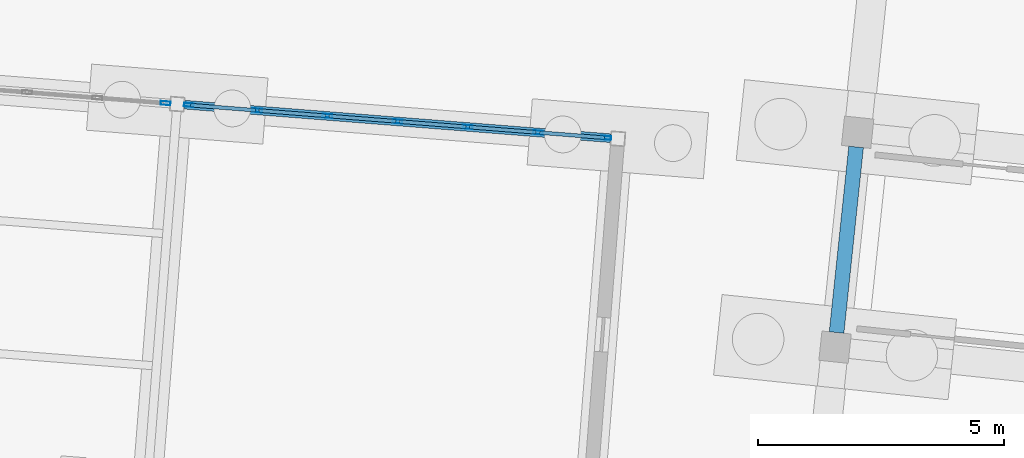
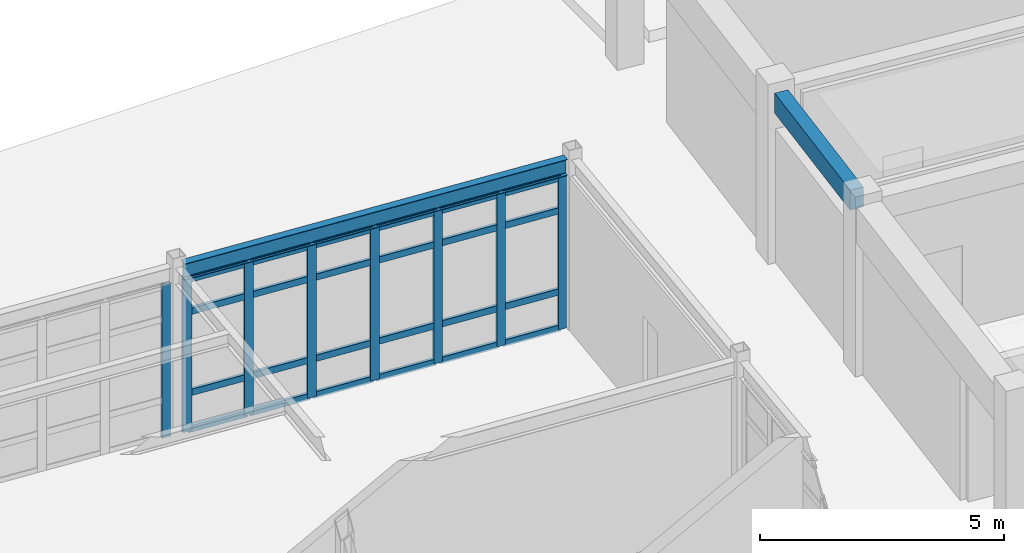
# One storey, part 83 of 154: 32 members, 2 beams, 2 elements without a shape of their own.
"""IFC4 building model written with IfcOpenShell, lengths in metres."""

from ifc_helpers import new_model, si_unit, direction, frame, origin, origin_2d, place, context, subcontext, project, spatial, rectangle, hollow_rectangle, i_section, extrude, material, material_profile, profile_set, type_object, element, aggregate, save


model = new_model("IFC4")

# Units and contexts
model_context = context("Model", 3, precision=1e-05, world=origin(), true_north=direction((0.0, 1.0)))
body_context = subcontext(model_context, "Body", "Model", "MODEL_VIEW")
ifc_project = project(units=[si_unit("LENGTHUNIT", "METRE"), si_unit("AREAUNIT", "SQUARE_METRE"), si_unit("VOLUMEUNIT", "CUBIC_METRE"), si_unit("PLANEANGLEUNIT", "RADIAN"), si_unit("MASSUNIT", "GRAM", prefix="KILO")], contexts=[model_context])

# Site, building, storey
site_placement = place(None, origin())
site = spatial("IfcSite", under=ifc_project, at=site_placement, CompositionType="ELEMENT")
building_placement = place(site_placement, origin())
building = spatial("IfcBuilding", under=site, at=building_placement, Name="Kestramere Prow Commons", CompositionType="ELEMENT")
storey_placement = place(building_placement, origin())
storey = spatial("IfcBuildingStorey", under=building, at=storey_placement, Name="L00", CompositionType="ELEMENT", Elevation=0.0)

# Beams
ifc_material_1 = material(Name="Steel S355JR", Category="steel")
ifc_material_profile_1 = material_profile(ifc_material_1, i_section(OverallWidth=0.177978515625, OverallDepth=0.406494140625, WebThickness=0.0078125, FlangeThickness=0.0126953125, FilletRadius=0.01025390625, at=origin_2d()), Name="UB 406x178x60")
ifc_profile_set_1 = profile_set([ifc_material_profile_1], Name="Steel S355JR")
beam_type_1 = type_object("IfcBeamType", Name="BM-NR-01 UB 406x178x60 (EX)", PredefinedType="BEAM", material=ifc_profile_set_1)
beam_1_placement = place(storey_placement, frame((97.54931640625, 107.2958984375, 4.046875), z_axis=(0.996917066238, -0.078462494502, 0.0), x_axis=(0.078462494502, 0.996917066238, 0.0)))
element("IfcBeam", 1, at=beam_1_placement, inside=storey, type_object=beam_type_1, Name="Nursery L00 Beam U 4-4", PredefinedType="BEAM", context=body_context, shape_type="SweptSolid", body=[
    extrude(i_section(OverallWidth=0.177978515625, OverallDepth=0.406494140625, WebThickness=0.0078125, FlangeThickness=0.0126953125, FilletRadius=0.01025390625, at=origin_2d()), origin(), (0.0, 0.0, 1.0), 8.699951171875),
])
ifc_material_2 = material(Name="Precast concrete C40/50", Category="concrete")
ifc_material_profile_2 = material_profile(ifc_material_2, rectangle(XDim=0.300048828125, YDim=0.5, at=origin_2d()), Name="PC-BM 300x500")
ifc_profile_set_2 = profile_set([ifc_material_profile_2], Name="Precast concrete C40/50")
beam_type_2 = type_object("IfcBeamType", Name="BM-TIE-01 PC-BM 300x500", PredefinedType="BEAM", material=ifc_profile_set_2)
beam_2_placement = place(storey_placement, frame((110.82568359375, 102.65673828125, 4.0), z_axis=(0.10453428057, 0.994521283928, 0.0), x_axis=(-0.994521283928, 0.10453428057, 0.0)))
element("IfcBeam", 2, at=beam_2_placement, inside=storey, type_object=beam_type_2, Name="Block B L00 Transverse Beam 1-2", PredefinedType="BEAM", context=body_context, shape_type="SweptSolid", body=[
    extrude(rectangle(XDim=0.300048828125, YDim=0.5, at=origin_2d()), origin(), (0.0, 0.0, 1.0), 3.7998046875),
])

# Curtain wall, member
ifc_material_3 = material(Name="Anodised Aluminium and Low-E Glass", Category="aluminium")
curtain_wall_type = type_object("IfcCurtainWallType", Name="CW-13 Glazed Curtain Wall 8600x3830", PredefinedType="USERDEFINED", material=ifc_material_3)
curtain_wall_1_placement = place(storey_placement, origin())
curtain_wall_1 = element("IfcCurtainWall", 3, at=curtain_wall_1_placement, inside=storey, type_object=curtain_wall_type, Name="Nursery L00 North Garden Glazing 3", ObjectType="GLAZED CURTAIN WALL", PredefinedType="USERDEFINED")
ifc_material_4 = material(Name="Anodised Aluminium 6063-T6", Category="aluminium")
ifc_material_profile_3 = material_profile(ifc_material_4, hollow_rectangle(XDim=0.074951171875, YDim=0.199951171875, WallThickness=0.0048828125, at=origin_2d()), Name="ALU-MUL 75x200")
ifc_profile_set_3 = profile_set([ifc_material_profile_3], Name="Anodised Aluminium 6063-T6")
member_type_1 = type_object("IfcMemberType", Name="CW-MUL-75x200", PredefinedType="MULLION", material=ifc_profile_set_3)
member_1_placement = place(storey_placement, frame((97.1630859375, 107.326171875, 0.0), z_axis=(0.0, 0.0, 1.0), x_axis=(0.078459070568, 0.996917335713, 0.0)))
member_1 = element("IfcMember", 4, at=member_1_placement, type_object=member_type_1, Name="CW-13 mullion 7", PredefinedType="MULLION", context=body_context, shape_type="SweptSolid", body=[
    extrude(hollow_rectangle(XDim=0.074951171875, YDim=0.199951171875, WallThickness=0.0048828125, at=origin_2d()), origin(), (0.0, 0.0, 1.0), 3.830078125),
])
aggregate(curtain_wall_1, [member_1])

# Curtain wall, members
curtain_wall_2_placement = place(storey_placement, origin())
curtain_wall_2 = element("IfcCurtainWall", 5, at=curtain_wall_2_placement, inside=storey, type_object=curtain_wall_type, Name="Nursery L00 North Garden Glazing 4", ObjectType="GLAZED CURTAIN WALL", PredefinedType="USERDEFINED")
member_2_placement = place(storey_placement, frame((97.636474609375, 107.2890625, 0.0), z_axis=(0.0, 0.0, 1.0), x_axis=(0.078459186136, 0.996917326618, 0.0)))
member_2 = element("IfcMember", 6, at=member_2_placement, type_object=member_type_1, Name="CW-13 mullion 1", PredefinedType="MULLION", context=body_context, shape_type="SweptSolid", body=[
    extrude(hollow_rectangle(XDim=0.074951171875, YDim=0.199951171875, WallThickness=0.0048828125, at=origin_2d()), origin(), (0.0, 0.0, 1.0), 3.830078125),
])
member_3_placement = place(storey_placement, frame((99.028076171875, 107.179443359375, 0.0), z_axis=(0.0, 0.0, 1.0), x_axis=(0.078459186136, 0.996917326618, 0.0)))
member_3 = element("IfcMember", 7, at=member_3_placement, type_object=member_type_1, Name="CW-13 mullion 2", PredefinedType="MULLION", context=body_context, shape_type="SweptSolid", body=[
    extrude(hollow_rectangle(XDim=0.074951171875, YDim=0.199951171875, WallThickness=0.0048828125, at=origin_2d()), origin(), (0.0, 0.0, 1.0), 3.830078125),
])
member_4_placement = place(storey_placement, frame((100.45703125, 107.06689453125, 0.0), z_axis=(0.0, 0.0, 1.0), x_axis=(0.078459186136, 0.996917326618, 0.0)))
member_4 = element("IfcMember", 8, at=member_4_placement, type_object=member_type_1, Name="CW-13 mullion 3", PredefinedType="MULLION", context=body_context, shape_type="SweptSolid", body=[
    extrude(hollow_rectangle(XDim=0.074951171875, YDim=0.199951171875, WallThickness=0.0048828125, at=origin_2d()), origin(), (0.0, 0.0, 1.0), 3.830078125),
])
member_5_placement = place(storey_placement, frame((101.885986328125, 106.95458984375, 0.0), z_axis=(0.0, 0.0, 1.0), x_axis=(0.078459186136, 0.996917326618, 0.0)))
member_5 = element("IfcMember", 9, at=member_5_placement, type_object=member_type_1, Name="CW-13 mullion 4", PredefinedType="MULLION", context=body_context, shape_type="SweptSolid", body=[
    extrude(hollow_rectangle(XDim=0.074951171875, YDim=0.199951171875, WallThickness=0.0048828125, at=origin_2d()), origin(), (0.0, 0.0, 1.0), 3.830078125),
])
member_6_placement = place(storey_placement, frame((103.31494140625, 106.842041015625, 0.0), z_axis=(0.0, 0.0, 1.0), x_axis=(0.078459186136, 0.996917326618, 0.0)))
member_6 = element("IfcMember", 10, at=member_6_placement, type_object=member_type_1, Name="CW-13 mullion 5", PredefinedType="MULLION", context=body_context, shape_type="SweptSolid", body=[
    extrude(hollow_rectangle(XDim=0.074951171875, YDim=0.199951171875, WallThickness=0.0048828125, at=origin_2d()), origin(), (0.0, 0.0, 1.0), 3.830078125),
])
member_7_placement = place(storey_placement, frame((104.74365234375, 106.729736328125, 0.0), z_axis=(0.0, 0.0, 1.0), x_axis=(0.078459186136, 0.996917326618, 0.0)))
member_7 = element("IfcMember", 11, at=member_7_placement, type_object=member_type_1, Name="CW-13 mullion 6", PredefinedType="MULLION", context=body_context, shape_type="SweptSolid", body=[
    extrude(hollow_rectangle(XDim=0.074951171875, YDim=0.199951171875, WallThickness=0.0048828125, at=origin_2d()), origin(), (0.0, 0.0, 1.0), 3.830078125),
])
member_8_placement = place(storey_placement, frame((106.13525390625, 106.6201171875, 0.0), z_axis=(0.0, 0.0, 1.0), x_axis=(0.078459186136, 0.996917326618, 0.0)))
member_8 = element("IfcMember", 12, at=member_8_placement, type_object=member_type_1, Name="CW-13 mullion 7", PredefinedType="MULLION", context=body_context, shape_type="SweptSolid", body=[
    extrude(hollow_rectangle(XDim=0.074951171875, YDim=0.199951171875, WallThickness=0.0048828125, at=origin_2d()), origin(), (0.0, 0.0, 1.0), 3.830078125),
])
ifc_material_profile_4 = material_profile(ifc_material_4, hollow_rectangle(XDim=0.074951171875, YDim=0.159912109375, WallThickness=0.0048828125, at=origin_2d()), Name="ALU-TRN 75x160")
ifc_profile_set_4 = profile_set([ifc_material_profile_4], Name="Anodised Aluminium 6063-T6")
member_type_2 = type_object("IfcMemberType", Name="CW-TRN-75x160", PredefinedType="USERDEFINED", material=ifc_profile_set_4)
member_9_placement = place(storey_placement, frame((97.673828125, 107.2861328125, 0.03759765625), z_axis=(0.996910347642, -0.078547811967, 0.0), x_axis=(0.078547811967, 0.996910347642, 0.0)))
member_9 = element("IfcMember", 13, at=member_9_placement, type_object=member_type_2, Name="CW-13 transom 1.1", ObjectType="TRANSOM", PredefinedType="USERDEFINED", context=body_context, shape_type="SweptSolid", body=[
    extrude(hollow_rectangle(XDim=0.074951171875, YDim=0.159912109375, WallThickness=0.0048828125, at=origin_2d()), origin(), (0.0, 0.0, 1.0), 1.321044921875),
])
member_10_placement = place(storey_placement, frame((97.673828125, 107.2861328125, 0.949951171875), z_axis=(0.996910347642, -0.078547811967, 0.0), x_axis=(0.078547811967, 0.996910347642, 0.0)))
member_10 = element("IfcMember", 14, at=member_10_placement, type_object=member_type_2, Name="CW-13 transom 1.2", ObjectType="TRANSOM", PredefinedType="USERDEFINED", context=body_context, shape_type="SweptSolid", body=[
    extrude(hollow_rectangle(XDim=0.074951171875, YDim=0.159912109375, WallThickness=0.0048828125, at=origin_2d()), origin(), (0.0, 0.0, 1.0), 1.321044921875),
])
member_11_placement = place(storey_placement, frame((97.673828125, 107.2861328125, 2.97998046875), z_axis=(0.996910347642, -0.078547811967, 0.0), x_axis=(0.078547811967, 0.996910347642, 0.0)))
member_11 = element("IfcMember", 15, at=member_11_placement, type_object=member_type_2, Name="CW-13 transom 1.3", ObjectType="TRANSOM", PredefinedType="USERDEFINED", context=body_context, shape_type="SweptSolid", body=[
    extrude(hollow_rectangle(XDim=0.074951171875, YDim=0.159912109375, WallThickness=0.0048828125, at=origin_2d()), origin(), (0.0, 0.0, 1.0), 1.321044921875),
])
member_12_placement = place(storey_placement, frame((97.673828125, 107.2861328125, 3.79248046875), z_axis=(0.996910347642, -0.078547811967, 0.0), x_axis=(0.078547811967, 0.996910347642, 0.0)))
member_12 = element("IfcMember", 16, at=member_12_placement, type_object=member_type_2, Name="CW-13 transom 1.4", ObjectType="TRANSOM", PredefinedType="USERDEFINED", context=body_context, shape_type="SweptSolid", body=[
    extrude(hollow_rectangle(XDim=0.074951171875, YDim=0.159912109375, WallThickness=0.0048828125, at=origin_2d()), origin(), (0.0, 0.0, 1.0), 1.321044921875),
])
member_13_placement = place(storey_placement, frame((99.0654296875, 107.176513671875, 0.03759765625), z_axis=(0.996925177976, -0.078359361384, 0.0), x_axis=(0.078359361384, 0.996925177976, 0.0)))
member_13 = element("IfcMember", 17, at=member_13_placement, type_object=member_type_2, Name="CW-13 transom 2.1", ObjectType="TRANSOM", PredefinedType="USERDEFINED", context=body_context, shape_type="SweptSolid", body=[
    extrude(hollow_rectangle(XDim=0.074951171875, YDim=0.159912109375, WallThickness=0.0048828125, at=origin_2d()), origin(), (0.0, 0.0, 1.0), 1.3583984375),
])
member_14_placement = place(storey_placement, frame((99.0654296875, 107.176513671875, 0.949951171875), z_axis=(0.996925177976, -0.078359361384, 0.0), x_axis=(0.078359361384, 0.996925177976, 0.0)))
member_14 = element("IfcMember", 18, at=member_14_placement, type_object=member_type_2, Name="CW-13 transom 2.2", ObjectType="TRANSOM", PredefinedType="USERDEFINED", context=body_context, shape_type="SweptSolid", body=[
    extrude(hollow_rectangle(XDim=0.074951171875, YDim=0.159912109375, WallThickness=0.0048828125, at=origin_2d()), origin(), (0.0, 0.0, 1.0), 1.3583984375),
])
member_15_placement = place(storey_placement, frame((99.0654296875, 107.176513671875, 2.97998046875), z_axis=(0.996925177976, -0.078359361384, 0.0), x_axis=(0.078359361384, 0.996925177976, 0.0)))
member_15 = element("IfcMember", 19, at=member_15_placement, type_object=member_type_2, Name="CW-13 transom 2.3", ObjectType="TRANSOM", PredefinedType="USERDEFINED", context=body_context, shape_type="SweptSolid", body=[
    extrude(hollow_rectangle(XDim=0.074951171875, YDim=0.159912109375, WallThickness=0.0048828125, at=origin_2d()), origin(), (0.0, 0.0, 1.0), 1.3583984375),
])
member_16_placement = place(storey_placement, frame((99.0654296875, 107.176513671875, 3.79248046875), z_axis=(0.996925177976, -0.078359361384, 0.0), x_axis=(0.078359361384, 0.996925177976, 0.0)))
member_16 = element("IfcMember", 20, at=member_16_placement, type_object=member_type_2, Name="CW-13 transom 2.4", ObjectType="TRANSOM", PredefinedType="USERDEFINED", context=body_context, shape_type="SweptSolid", body=[
    extrude(hollow_rectangle(XDim=0.074951171875, YDim=0.159912109375, WallThickness=0.0048828125, at=origin_2d()), origin(), (0.0, 0.0, 1.0), 1.3583984375),
])
member_17_placement = place(storey_placement, frame((100.494384765625, 107.06396484375, 0.03759765625), z_axis=(0.996925177976, -0.078359361384, 0.0), x_axis=(0.078359361384, 0.996925177976, 0.0)))
member_17 = element("IfcMember", 21, at=member_17_placement, type_object=member_type_2, Name="CW-13 transom 3.1", ObjectType="TRANSOM", PredefinedType="USERDEFINED", context=body_context, shape_type="SweptSolid", body=[
    extrude(hollow_rectangle(XDim=0.074951171875, YDim=0.159912109375, WallThickness=0.0048828125, at=origin_2d()), origin(), (0.0, 0.0, 1.0), 1.3583984375),
])
member_18_placement = place(storey_placement, frame((100.494384765625, 107.06396484375, 0.949951171875), z_axis=(0.996925177976, -0.078359361384, 0.0), x_axis=(0.078359361384, 0.996925177976, 0.0)))
member_18 = element("IfcMember", 22, at=member_18_placement, type_object=member_type_2, Name="CW-13 transom 3.2", ObjectType="TRANSOM", PredefinedType="USERDEFINED", context=body_context, shape_type="SweptSolid", body=[
    extrude(hollow_rectangle(XDim=0.074951171875, YDim=0.159912109375, WallThickness=0.0048828125, at=origin_2d()), origin(), (0.0, 0.0, 1.0), 1.3583984375),
])
member_19_placement = place(storey_placement, frame((100.494384765625, 107.06396484375, 2.97998046875), z_axis=(0.996925177976, -0.078359361384, 0.0), x_axis=(0.078359361384, 0.996925177976, 0.0)))
member_19 = element("IfcMember", 23, at=member_19_placement, type_object=member_type_2, Name="CW-13 transom 3.3", ObjectType="TRANSOM", PredefinedType="USERDEFINED", context=body_context, shape_type="SweptSolid", body=[
    extrude(hollow_rectangle(XDim=0.074951171875, YDim=0.159912109375, WallThickness=0.0048828125, at=origin_2d()), origin(), (0.0, 0.0, 1.0), 1.3583984375),
])
member_20_placement = place(storey_placement, frame((100.494384765625, 107.06396484375, 3.79248046875), z_axis=(0.996925177976, -0.078359361384, 0.0), x_axis=(0.078359361384, 0.996925177976, 0.0)))
member_20 = element("IfcMember", 24, at=member_20_placement, type_object=member_type_2, Name="CW-13 transom 3.4", ObjectType="TRANSOM", PredefinedType="USERDEFINED", context=body_context, shape_type="SweptSolid", body=[
    extrude(hollow_rectangle(XDim=0.074951171875, YDim=0.159912109375, WallThickness=0.0048828125, at=origin_2d()), origin(), (0.0, 0.0, 1.0), 1.3583984375),
])
member_21_placement = place(storey_placement, frame((101.92333984375, 106.95166015625, 0.03759765625), z_axis=(0.996910013618, -0.078552051199, 0.0), x_axis=(0.078552051199, 0.996910013618, 0.0)))
member_21 = element("IfcMember", 25, at=member_21_placement, type_object=member_type_2, Name="CW-13 transom 4.1", ObjectType="TRANSOM", PredefinedType="USERDEFINED", context=body_context, shape_type="SweptSolid", body=[
    extrude(hollow_rectangle(XDim=0.074951171875, YDim=0.159912109375, WallThickness=0.0048828125, at=origin_2d()), origin(), (0.0, 0.0, 1.0), 1.358154296875),
])
member_22_placement = place(storey_placement, frame((101.92333984375, 106.95166015625, 0.949951171875), z_axis=(0.996910013618, -0.078552051199, 0.0), x_axis=(0.078552051199, 0.996910013618, 0.0)))
member_22 = element("IfcMember", 26, at=member_22_placement, type_object=member_type_2, Name="CW-13 transom 4.2", ObjectType="TRANSOM", PredefinedType="USERDEFINED", context=body_context, shape_type="SweptSolid", body=[
    extrude(hollow_rectangle(XDim=0.074951171875, YDim=0.159912109375, WallThickness=0.0048828125, at=origin_2d()), origin(), (0.0, 0.0, 1.0), 1.358154296875),
])
member_23_placement = place(storey_placement, frame((101.92333984375, 106.95166015625, 2.97998046875), z_axis=(0.996910013618, -0.078552051199, 0.0), x_axis=(0.078552051199, 0.996910013618, 0.0)))
member_23 = element("IfcMember", 27, at=member_23_placement, type_object=member_type_2, Name="CW-13 transom 4.3", ObjectType="TRANSOM", PredefinedType="USERDEFINED", context=body_context, shape_type="SweptSolid", body=[
    extrude(hollow_rectangle(XDim=0.074951171875, YDim=0.159912109375, WallThickness=0.0048828125, at=origin_2d()), origin(), (0.0, 0.0, 1.0), 1.358154296875),
])
member_24_placement = place(storey_placement, frame((101.92333984375, 106.95166015625, 3.79248046875), z_axis=(0.996910013618, -0.078552051199, 0.0), x_axis=(0.078552051199, 0.996910013618, 0.0)))
member_24 = element("IfcMember", 28, at=member_24_placement, type_object=member_type_2, Name="CW-13 transom 4.4", ObjectType="TRANSOM", PredefinedType="USERDEFINED", context=body_context, shape_type="SweptSolid", body=[
    extrude(hollow_rectangle(XDim=0.074951171875, YDim=0.159912109375, WallThickness=0.0048828125, at=origin_2d()), origin(), (0.0, 0.0, 1.0), 1.358154296875),
])
member_25_placement = place(storey_placement, frame((103.352294921875, 106.839111328125, 0.03759765625), z_axis=(0.996924074145, -0.078373403593, 0.0), x_axis=(0.078373403593, 0.996924074145, 0.0)))
member_25 = element("IfcMember", 29, at=member_25_placement, type_object=member_type_2, Name="CW-13 transom 5.1", ObjectType="TRANSOM", PredefinedType="USERDEFINED", context=body_context, shape_type="SweptSolid", body=[
    extrude(hollow_rectangle(XDim=0.074951171875, YDim=0.159912109375, WallThickness=0.0048828125, at=origin_2d()), origin(), (0.0, 0.0, 1.0), 1.358154296875),
])
member_26_placement = place(storey_placement, frame((103.352294921875, 106.839111328125, 0.949951171875), z_axis=(0.996924074145, -0.078373403593, 0.0), x_axis=(0.078373403593, 0.996924074145, 0.0)))
member_26 = element("IfcMember", 30, at=member_26_placement, type_object=member_type_2, Name="CW-13 transom 5.2", ObjectType="TRANSOM", PredefinedType="USERDEFINED", context=body_context, shape_type="SweptSolid", body=[
    extrude(hollow_rectangle(XDim=0.074951171875, YDim=0.159912109375, WallThickness=0.0048828125, at=origin_2d()), origin(), (0.0, 0.0, 1.0), 1.358154296875),
])
member_27_placement = place(storey_placement, frame((103.352294921875, 106.839111328125, 2.97998046875), z_axis=(0.996924074145, -0.078373403593, 0.0), x_axis=(0.078373403593, 0.996924074145, 0.0)))
member_27 = element("IfcMember", 31, at=member_27_placement, type_object=member_type_2, Name="CW-13 transom 5.3", ObjectType="TRANSOM", PredefinedType="USERDEFINED", context=body_context, shape_type="SweptSolid", body=[
    extrude(hollow_rectangle(XDim=0.074951171875, YDim=0.159912109375, WallThickness=0.0048828125, at=origin_2d()), origin(), (0.0, 0.0, 1.0), 1.358154296875),
])
member_28_placement = place(storey_placement, frame((103.352294921875, 106.839111328125, 3.79248046875), z_axis=(0.996924074145, -0.078373403593, 0.0), x_axis=(0.078373403593, 0.996924074145, 0.0)))
member_28 = element("IfcMember", 32, at=member_28_placement, type_object=member_type_2, Name="CW-13 transom 5.4", ObjectType="TRANSOM", PredefinedType="USERDEFINED", context=body_context, shape_type="SweptSolid", body=[
    extrude(hollow_rectangle(XDim=0.074951171875, YDim=0.159912109375, WallThickness=0.0048828125, at=origin_2d()), origin(), (0.0, 0.0, 1.0), 1.358154296875),
])
member_29_placement = place(storey_placement, frame((104.78125, 106.726806640625, 0.03759765625), z_axis=(0.996909207042, -0.078562286852, 0.0), x_axis=(0.078562286852, 0.996909207042, 0.0)))
member_29 = element("IfcMember", 33, at=member_29_placement, type_object=member_type_2, Name="CW-13 transom 6.1", ObjectType="TRANSOM", PredefinedType="USERDEFINED", context=body_context, shape_type="SweptSolid", body=[
    extrude(hollow_rectangle(XDim=0.074951171875, YDim=0.159912109375, WallThickness=0.0048828125, at=origin_2d()), origin(), (0.0, 0.0, 1.0), 1.32080078125),
])
member_30_placement = place(storey_placement, frame((104.78125, 106.726806640625, 0.949951171875), z_axis=(0.996909207042, -0.078562286852, 0.0), x_axis=(0.078562286852, 0.996909207042, 0.0)))
member_30 = element("IfcMember", 34, at=member_30_placement, type_object=member_type_2, Name="CW-13 transom 6.2", ObjectType="TRANSOM", PredefinedType="USERDEFINED", context=body_context, shape_type="SweptSolid", body=[
    extrude(hollow_rectangle(XDim=0.074951171875, YDim=0.159912109375, WallThickness=0.0048828125, at=origin_2d()), origin(), (0.0, 0.0, 1.0), 1.32080078125),
])
member_31_placement = place(storey_placement, frame((104.78125, 106.726806640625, 2.97998046875), z_axis=(0.996909207042, -0.078562286852, 0.0), x_axis=(0.078562286852, 0.996909207042, 0.0)))
member_31 = element("IfcMember", 35, at=member_31_placement, type_object=member_type_2, Name="CW-13 transom 6.3", ObjectType="TRANSOM", PredefinedType="USERDEFINED", context=body_context, shape_type="SweptSolid", body=[
    extrude(hollow_rectangle(XDim=0.074951171875, YDim=0.159912109375, WallThickness=0.0048828125, at=origin_2d()), origin(), (0.0, 0.0, 1.0), 1.32080078125),
])
member_32_placement = place(storey_placement, frame((104.78125, 106.726806640625, 3.79248046875), z_axis=(0.996909207042, -0.078562286852, 0.0), x_axis=(0.078562286852, 0.996909207042, 0.0)))
member_32 = element("IfcMember", 36, at=member_32_placement, type_object=member_type_2, Name="CW-13 transom 6.4", ObjectType="TRANSOM", PredefinedType="USERDEFINED", context=body_context, shape_type="SweptSolid", body=[
    extrude(hollow_rectangle(XDim=0.074951171875, YDim=0.159912109375, WallThickness=0.0048828125, at=origin_2d()), origin(), (0.0, 0.0, 1.0), 1.32080078125),
])
aggregate(curtain_wall_2, [member_2, member_3, member_4, member_5, member_6, member_7, member_8, member_9, member_10, member_11, member_12, member_13, member_14, member_15, member_16, member_17, member_18, member_19, member_20, member_21, member_22, member_23, member_24, member_25, member_26, member_27, member_28, member_29, member_30, member_31, member_32])

save(model, "model.ifc")
